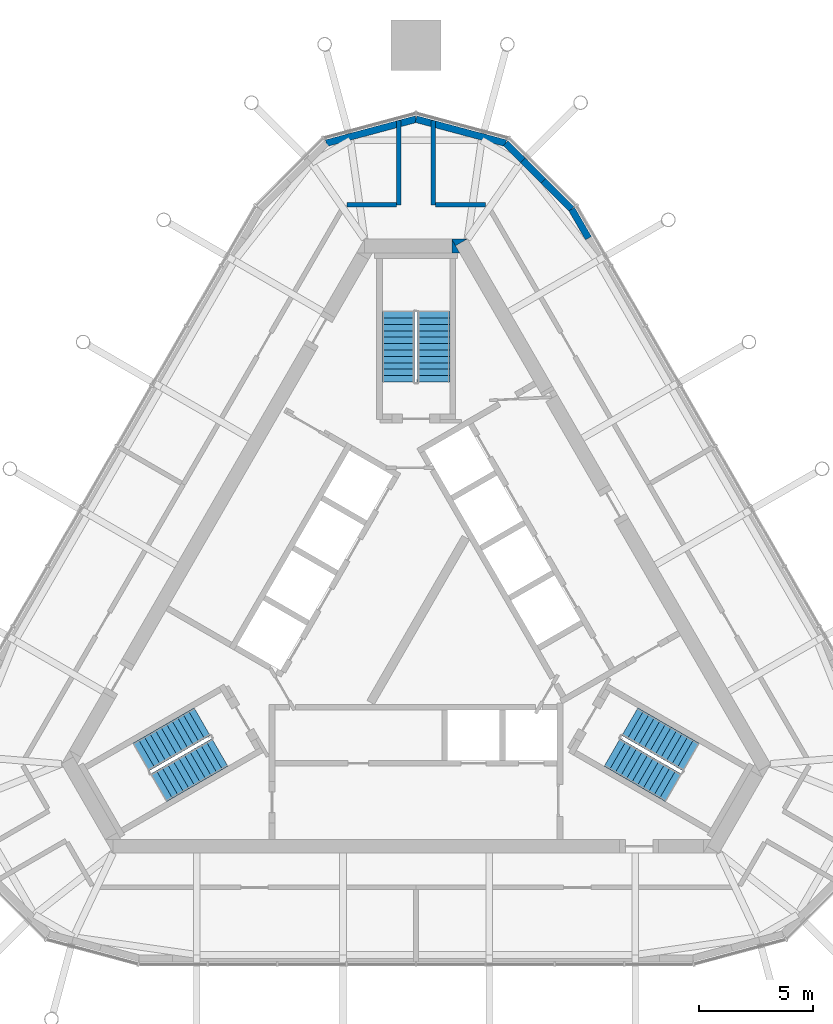
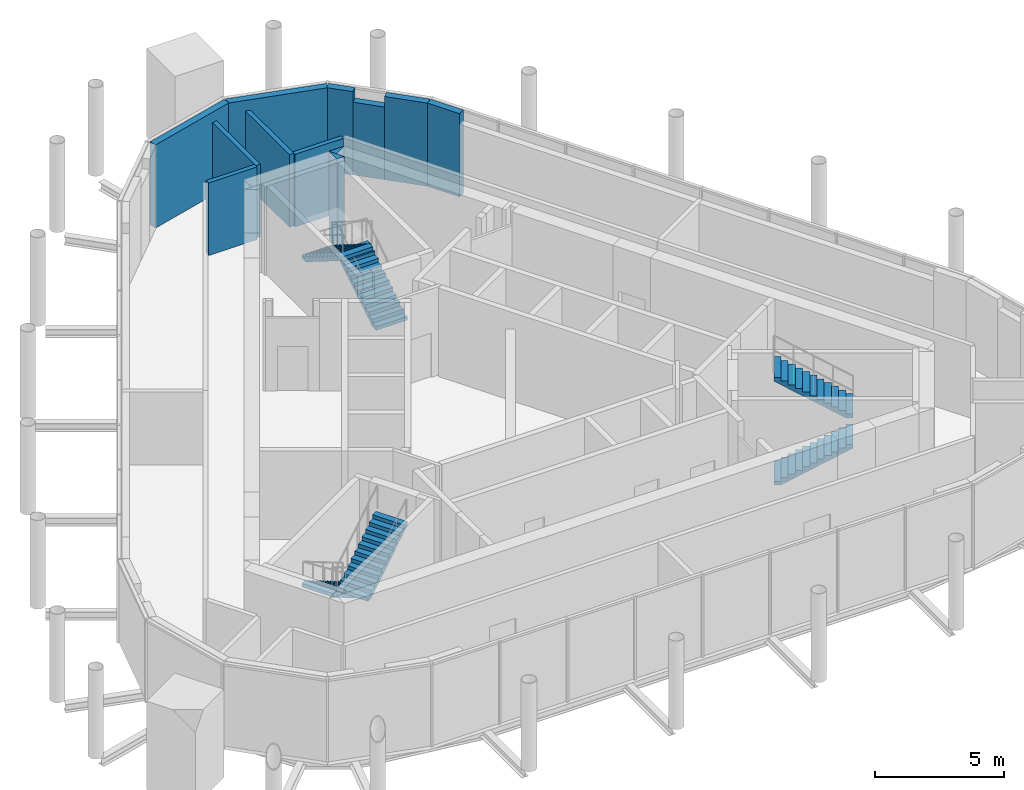
# One storey, part 10 of 11: 12 walls, 6 stair flights, 3 elements without a shape of their own.
"""IFC4 building model written with IfcOpenShell, lengths in metres."""

from ifc_helpers import new_model, si_unit, direction, frame, frame_2d, origin, place, context, subcontext, project, spatial, polyline, rectangle, outline, extrude, material, layer, layer_set, type_object, element, aggregate, save


model = new_model("IFC4")

# Units and contexts
model_context = context("Model", 3, precision=1e-05, world=origin(), true_north=direction((0.0, 1.0)))
body_context = subcontext(model_context, "Body", "Model", "MODEL_VIEW")
ifc_project = project(units=[si_unit("LENGTHUNIT", "METRE"), si_unit("AREAUNIT", "SQUARE_METRE"), si_unit("VOLUMEUNIT", "CUBIC_METRE"), si_unit("PLANEANGLEUNIT", "RADIAN"), si_unit("MASSUNIT", "GRAM", prefix="KILO")], contexts=[model_context])

# Site, building, storey
site_placement = place(None, origin())
site = spatial("IfcSite", under=ifc_project, at=site_placement, CompositionType="ELEMENT")
building_placement = place(site_placement, origin())
building = spatial("IfcBuilding", under=site, at=building_placement, Name="Mestral Congress Tower", CompositionType="ELEMENT")
storey_placement = place(building_placement, frame((0.0, 0.0, 336.0)))
storey = spatial("IfcBuildingStorey", under=building, at=storey_placement, Name="L78", CompositionType="ELEMENT", Elevation=336.0)

# Walls
ifc_material_1 = material(Name="Concrete C60/75", Category="concrete")
ifc_layer_1 = layer(ifc_material_1, 0.60009765625)
ifc_layer_set_1 = layer_set([ifc_layer_1], Name="Concrete C60/75")
wall_type_1 = type_object("IfcWallType", Name="Core wall RC 600", PredefinedType="SOLIDWALL", material=ifc_layer_set_1)
placement = place(storey_placement, origin())
element("IfcWall", 1, at=placement, inside=storey, type_object=wall_type_1, Name="L78 core wall", PredefinedType="SOLIDWALL", context=body_context, shape_type="SweptSolid", body=[
    extrude(outline(polyline([(1.558837890625, 16.60009765625), (2.23486328125, 16.60009765625), (1.727783203125, 16.307373046875), (1.558837890625, 16.60009765625)])), origin(), (0.0, 0.0, 1.0), 4.199951171875),
])
element("IfcWall", 2, at=placement, inside=storey, type_object=wall_type_1, Name="L78 core wall", PredefinedType="SOLIDWALL", context=body_context, shape_type="SweptSolid", body=[
    extrude(outline(polyline([(1.9052734375, 16.0), (1.5673828125, 16.0), (1.5673828125, 16.58544921875), (1.9052734375, 16.0)])), origin(), (0.0, 0.0, 1.0), 4.199951171875),
])
ifc_material_2 = material(Name="Precast concrete C40/50 with limestone facing", Category="masonry")
ifc_layer_2 = layer(ifc_material_2, 0.300048828125)
ifc_layer_set_2 = layer_set([ifc_layer_2], Name="Precast concrete C40/50 with limestone facing")
wall_type_2 = type_object("IfcWallType", Name="Crown plant block wall 300", PredefinedType="SOLIDWALL", material=ifc_layer_set_2)
wall_3_placement = place(storey_placement, frame((7.5400390625, 16.64013671875, 0.0), z_axis=(0.0, 0.0, 1.0), x_axis=(-0.499977492351, 0.866038398192, 0.0)))
element("IfcWall", 3, at=wall_3_placement, inside=storey, type_object=wall_type_2, Name="Plant block wall 5", PredefinedType="SOLIDWALL", context=body_context, shape_type="SweptSolid", body=[
    extrude(rectangle(XDim=1.4638671875, YDim=0.300048828125, at=frame_2d((0.73193359375, 0.0))), origin(), (0.0, 0.0, 1.0), 3.949951171875),
])
wall_4_placement = place(storey_placement, frame((6.80810546875, 17.907958984375, 0.0), z_axis=(0.0, 0.0, 1.0), x_axis=(-0.707106781187, 0.707106781187, 0.0)))
element("IfcWall", 4, at=wall_4_placement, inside=storey, type_object=wall_type_2, Name="Plant block wall 6", PredefinedType="SOLIDWALL", context=body_context, shape_type="SweptSolid", body=[
    extrude(rectangle(XDim=1.751953125, YDim=0.300048828125, at=frame_2d((0.8759765625, 0.0))), origin(), (0.0, 0.0, 1.0), 3.949951171875),
])
wall_5_placement = place(storey_placement, frame((4.67529296875, 20.040771484375, 0.0), z_axis=(0.0, 0.0, 1.0), x_axis=(-0.707106781187, 0.707106781187, 0.0)))
element("IfcWall", 5, at=wall_5_placement, inside=storey, type_object=wall_type_2, Name="Plant block wall 6", PredefinedType="SOLIDWALL", context=body_context, shape_type="SweptSolid", body=[
    extrude(rectangle(XDim=1.064697265625, YDim=0.300048828125, at=frame_2d((0.5322265625, 0.0))), origin(), (0.0, 0.0, 1.0), 3.949951171875),
])
for number, where, z_axis, x_axis, name in (
    (6, (3.92236328125, 20.793701171875, 0.0), (0.0, 0.0, 1.0), (-0.965923898226, 0.258826240624, 0.0), "Plant block wall 7"),
    (7, (0.0, 21.8447265625, 0.0), (0.0, 0.0, 1.0), (-0.965923898226, -0.258826240624, 0.0), "Plant block wall 8"),
):
    element("IfcWall", number, at=place(storey_placement, frame(where, z_axis=z_axis, x_axis=x_axis)), inside=storey, type_object=wall_type_2, Name=name, PredefinedType="SOLIDWALL", context=body_context, shape_type="SweptSolid", body=[
        extrude(rectangle(XDim=4.060791015625, YDim=0.300048828125, at=frame_2d((2.0302734375, 0.0))), origin(), (0.0, 0.0, 1.0), 3.949951171875),
    ])
ifc_layer_3 = layer(ifc_material_2, 0.300048828125)
ifc_layer_set_3 = layer_set([ifc_layer_3], Name="Precast concrete C40/50 with limestone facing")
wall_type_3 = type_object("IfcWallType", Name="Crown plant block wall 300 under girder", PredefinedType="SOLIDWALL", material=ifc_layer_set_3)
wall_6_placement = place(storey_placement, frame((5.5693359375, 19.146728515625, 0.0), z_axis=(0.0, 0.0, 1.0), x_axis=(-0.707106781187, 0.707106781187, 0.0)))
element("IfcWall", 8, at=wall_6_placement, inside=storey, type_object=wall_type_3, Name="Plant block wall 6", PredefinedType="SOLIDWALL", context=body_context, shape_type="SweptSolid", body=[
    extrude(rectangle(XDim=1.264404296875, YDim=0.300048828125, at=frame_2d((0.63232421875, 0.0))), origin(), (0.0, 0.0, 1.0), 3.449951171875),
])
ifc_material_3 = material(Name="Concrete block wall, plastered", Category="concrete")
ifc_layer_4 = layer(ifc_material_3, 0.199951171875)
ifc_layer_set_4 = layer_set([ifc_layer_4], Name="Concrete block wall, plastered")
wall_type_4 = type_object("IfcWallType", Name="Special partition 200 EI 120", PredefinedType="PARTITIONING", material=ifc_layer_set_4)
for number, where, z_axis, x_axis, name in (
    (9, (0.75, 21.78857421875, 0.0), (0.0, 0.0, 1.0), (0.0, -1.0, 0.0), "Partition"),
    (10, (-0.75, 18.10009765625, 0.0), (0.0, 0.0, 1.0), (0.0, 1.0, 0.0), "Partition"),
):
    element("IfcWall", number, at=place(storey_placement, frame(where, z_axis=z_axis, x_axis=x_axis)), inside=storey, type_object=wall_type_4, Name=name, PredefinedType="PARTITIONING", context=body_context, shape_type="SweptSolid", body=[
        extrude(rectangle(XDim=3.6884765625, YDim=0.199951171875, at=frame_2d((1.84423828125, 0.0))), origin(), (0.0, 0.0, 1.0), 3.449951171875),
    ])
for number, where, z_axis, x_axis, name in (
    (11, (-3.027587890625, 18.10009765625, 0.0), (0.0, 0.0, 1.0), (1.0, 0.0, 0.0), "Partition"),
    (12, (0.85009765625, 18.10009765625, 0.0), (0.0, 0.0, 1.0), (1.0, 0.0, 0.0), "Partition"),
):
    element("IfcWall", number, at=place(storey_placement, frame(where, z_axis=z_axis, x_axis=x_axis)), inside=storey, type_object=wall_type_4, Name=name, PredefinedType="PARTITIONING", context=body_context, shape_type="SweptSolid", body=[
        extrude(rectangle(XDim=2.177490234375, YDim=0.199951171875, at=frame_2d((1.0888671875, 0.0))), origin(), (0.0, 0.0, 1.0), 3.449951171875),
    ])

# Stair, stair flights
stair_type = type_object("IfcStairType", Name="Exit stair 1400", PredefinedType="HALF_TURN_STAIR", material=ifc_material_1)
stair_1 = element("IfcStair", 13, at=placement, inside=storey, type_object=stair_type, Name="L78 ST1", PredefinedType="HALF_TURN_STAIR")
stair_flight_type = type_object("IfcStairFlightType", Name="Exit stair flight 1400", PredefinedType="STRAIGHT", material=ifc_material_1)
stair_flight_1_placement = place(storey_placement, frame((8.575927734375, -5.84619140625, 0.0), z_axis=(0.0, 0.0, 1.0), x_axis=(0.866025403784, -0.5, 0.0)))
stair_flight_1 = element("IfcStairFlight", 14, at=stair_flight_1_placement, type_object=stair_flight_type, Name="ST1 flight 1", NumberOfRisers=12, NumberOfTreads=11, PredefinedType="STRAIGHT", RiserHeight=0.175, TreadLength=0.28, context=body_context, shape_type="SweptSolid", body=[
    extrude(outline(polyline([(0.0, 0.0), (0.0, 0.175048828125), (0.280029296875, 0.175048828125), (0.280029296875, 0.35009765625), (0.56005859375, 0.35009765625), (0.56005859375, 0.52490234375), (0.840087890625, 0.52490234375), (0.840087890625, 0.699951171875), (1.1201171875, 0.699951171875), (1.1201171875, 0.875), (1.39990234375, 0.875), (1.39990234375, 1.050048828125), (1.679931640625, 1.050048828125), (1.679931640625, 1.22509765625), (1.9599609375, 1.22509765625), (1.9599609375, 1.39990234375), (2.239990234375, 1.39990234375), (2.239990234375, 1.574951171875), (2.52001953125, 1.574951171875), (2.52001953125, 1.75), (2.800048828125, 1.75), (2.800048828125, 1.925048828125), (3.080078125, 1.925048828125), (3.080078125, 2.10009765625), (3.080078125, 1.748291015625), (0.28271484375, 0.0), (0.0, 0.0)])), frame((0.0, 0.699951171875, 0.0), z_axis=(0.0, -1.0, 0.0), x_axis=(1.0, 0.0, 0.0)), (0.0, 0.0, 1.0), 1.39990234375),
])
stair_flight_2_placement = place(storey_placement, frame((12.018310546875, -6.0439453125, 2.10009765625), z_axis=(0.0, 0.0, 1.0), x_axis=(-0.866025403784, 0.5, 0.0)))
stair_flight_2 = element("IfcStairFlight", 15, at=stair_flight_2_placement, type_object=stair_flight_type, Name="ST1 flight 2", NumberOfRisers=12, NumberOfTreads=11, PredefinedType="STRAIGHT", RiserHeight=0.175, TreadLength=0.28, context=body_context, shape_type="SweptSolid", body=[
    extrude(outline(polyline([(0.0, 0.0), (0.0, 0.175048828125), (0.280029296875, 0.175048828125), (0.280029296875, 0.35009765625), (0.56005859375, 0.35009765625), (0.56005859375, 0.52490234375), (0.840087890625, 0.52490234375), (0.840087890625, 0.699951171875), (1.1201171875, 0.699951171875), (1.1201171875, 0.875), (1.39990234375, 0.875), (1.39990234375, 1.050048828125), (1.679931640625, 1.050048828125), (1.679931640625, 1.22509765625), (1.9599609375, 1.22509765625), (1.9599609375, 1.39990234375), (2.239990234375, 1.39990234375), (2.239990234375, 1.574951171875), (2.52001953125, 1.574951171875), (2.52001953125, 1.75), (2.800048828125, 1.75), (2.800048828125, 1.925048828125), (3.080078125, 1.925048828125), (3.080078125, 2.10009765625), (3.080078125, 1.748291015625), (0.28271484375, 0.0), (0.0, 0.0)])), frame((0.0, 0.699951171875, 0.0), z_axis=(0.0, -1.0, 0.0), x_axis=(1.0, 0.0, 0.0)), (0.0, 0.0, 1.0), 1.39990234375),
])
aggregate(stair_1, [stair_flight_1, stair_flight_2])

stair_2 = element("IfcStair", 16, at=placement, inside=storey, type_object=stair_type, Name="L78 ST2", PredefinedType="HALF_TURN_STAIR")
stair_flight_3_placement = place(storey_placement, frame((0.77490234375, 10.35009765625, 0.0), z_axis=(0.0, 0.0, 1.0), x_axis=(0.0, 1.0, 0.0)))
stair_flight_3 = element("IfcStairFlight", 17, at=stair_flight_3_placement, type_object=stair_flight_type, Name="ST2 flight 1", NumberOfRisers=12, NumberOfTreads=11, PredefinedType="STRAIGHT", RiserHeight=0.175, TreadLength=0.28, context=body_context, shape_type="SweptSolid", body=[
    extrude(outline(polyline([(0.0, 0.0), (0.0, 0.175048828125), (0.280029296875, 0.175048828125), (0.280029296875, 0.35009765625), (0.56005859375, 0.35009765625), (0.56005859375, 0.52490234375), (0.840087890625, 0.52490234375), (0.840087890625, 0.699951171875), (1.1201171875, 0.699951171875), (1.1201171875, 0.875), (1.39990234375, 0.875), (1.39990234375, 1.050048828125), (1.679931640625, 1.050048828125), (1.679931640625, 1.22509765625), (1.9599609375, 1.22509765625), (1.9599609375, 1.39990234375), (2.239990234375, 1.39990234375), (2.239990234375, 1.574951171875), (2.52001953125, 1.574951171875), (2.52001953125, 1.75), (2.800048828125, 1.75), (2.800048828125, 1.925048828125), (3.080078125, 1.925048828125), (3.080078125, 2.10009765625), (3.080078125, 1.748291015625), (0.28271484375, 0.0), (0.0, 0.0)])), frame((0.0, 0.699951171875, 0.0), z_axis=(0.0, -1.0, 0.0), x_axis=(1.0, 0.0, 0.0)), (0.0, 0.0, 1.0), 1.39990234375),
])
stair_flight_4_placement = place(storey_placement, frame((-0.77490234375, 13.429931640625, 2.10009765625), z_axis=(0.0, 0.0, 1.0), x_axis=(0.0, -1.0, 0.0)))
stair_flight_4 = element("IfcStairFlight", 18, at=stair_flight_4_placement, type_object=stair_flight_type, Name="ST2 flight 2", NumberOfRisers=12, NumberOfTreads=11, PredefinedType="STRAIGHT", RiserHeight=0.175, TreadLength=0.28, context=body_context, shape_type="SweptSolid", body=[
    extrude(outline(polyline([(0.0, 0.0), (0.0, 0.175048828125), (0.280029296875, 0.175048828125), (0.280029296875, 0.35009765625), (0.56005859375, 0.35009765625), (0.56005859375, 0.52490234375), (0.840087890625, 0.52490234375), (0.840087890625, 0.699951171875), (1.1201171875, 0.699951171875), (1.1201171875, 0.875), (1.39990234375, 0.875), (1.39990234375, 1.050048828125), (1.679931640625, 1.050048828125), (1.679931640625, 1.22509765625), (1.9599609375, 1.22509765625), (1.9599609375, 1.39990234375), (2.239990234375, 1.39990234375), (2.239990234375, 1.574951171875), (2.52001953125, 1.574951171875), (2.52001953125, 1.75), (2.800048828125, 1.75), (2.800048828125, 1.925048828125), (3.080078125, 1.925048828125), (3.080078125, 2.10009765625), (3.080078125, 1.748291015625), (0.28271484375, 0.0), (0.0, 0.0)])), frame((0.0, 0.699951171875, 0.0), z_axis=(0.0, -1.0, 0.0), x_axis=(1.0, 0.0, 0.0)), (0.0, 0.0, 1.0), 1.39990234375),
])
aggregate(stair_2, [stair_flight_3, stair_flight_4])

stair_3 = element("IfcStair", 19, at=placement, inside=storey, type_object=stair_type, Name="L78 ST3", PredefinedType="HALF_TURN_STAIR")
stair_flight_5_placement = place(storey_placement, frame((-9.350830078125, -4.50390625, 0.0), z_axis=(0.0, 0.0, 1.0), x_axis=(-0.866025403784, -0.5, 0.0)))
stair_flight_5 = element("IfcStairFlight", 20, at=stair_flight_5_placement, type_object=stair_flight_type, Name="ST3 flight 1", NumberOfRisers=12, NumberOfTreads=11, PredefinedType="STRAIGHT", RiserHeight=0.175, TreadLength=0.28, context=body_context, shape_type="SweptSolid", body=[
    extrude(outline(polyline([(0.0, 0.0), (0.0, 0.175048828125), (0.280029296875, 0.175048828125), (0.280029296875, 0.35009765625), (0.56005859375, 0.35009765625), (0.56005859375, 0.52490234375), (0.840087890625, 0.52490234375), (0.840087890625, 0.699951171875), (1.1201171875, 0.699951171875), (1.1201171875, 0.875), (1.39990234375, 0.875), (1.39990234375, 1.050048828125), (1.679931640625, 1.050048828125), (1.679931640625, 1.22509765625), (1.9599609375, 1.22509765625), (1.9599609375, 1.39990234375), (2.239990234375, 1.39990234375), (2.239990234375, 1.574951171875), (2.52001953125, 1.574951171875), (2.52001953125, 1.75), (2.800048828125, 1.75), (2.800048828125, 1.925048828125), (3.080078125, 1.925048828125), (3.080078125, 2.10009765625), (3.080078125, 1.748291015625), (0.28271484375, 0.0), (0.0, 0.0)])), frame((0.0, 0.699951171875, 0.0), z_axis=(0.0, -1.0, 0.0), x_axis=(1.0, 0.0, 0.0)), (0.0, 0.0, 1.0), 1.39990234375),
])
stair_flight_6_placement = place(storey_placement, frame((-11.2431640625, -7.38623046875, 2.10009765625), z_axis=(0.0, 0.0, 1.0), x_axis=(0.866025403784, 0.5, 0.0)))
stair_flight_6 = element("IfcStairFlight", 21, at=stair_flight_6_placement, type_object=stair_flight_type, Name="ST3 flight 2", NumberOfRisers=12, NumberOfTreads=11, PredefinedType="STRAIGHT", RiserHeight=0.175, TreadLength=0.28, context=body_context, shape_type="SweptSolid", body=[
    extrude(outline(polyline([(0.0, 0.0), (0.0, 0.175048828125), (0.280029296875, 0.175048828125), (0.280029296875, 0.35009765625), (0.56005859375, 0.35009765625), (0.56005859375, 0.52490234375), (0.840087890625, 0.52490234375), (0.840087890625, 0.699951171875), (1.1201171875, 0.699951171875), (1.1201171875, 0.875), (1.39990234375, 0.875), (1.39990234375, 1.050048828125), (1.679931640625, 1.050048828125), (1.679931640625, 1.22509765625), (1.9599609375, 1.22509765625), (1.9599609375, 1.39990234375), (2.239990234375, 1.39990234375), (2.239990234375, 1.574951171875), (2.52001953125, 1.574951171875), (2.52001953125, 1.75), (2.800048828125, 1.75), (2.800048828125, 1.925048828125), (3.080078125, 1.925048828125), (3.080078125, 2.10009765625), (3.080078125, 1.748291015625), (0.28271484375, 0.0), (0.0, 0.0)])), frame((0.0, 0.699951171875, 0.0), z_axis=(0.0, -1.0, 0.0), x_axis=(1.0, 0.0, 0.0)), (0.0, 0.0, 1.0), 1.39990234375),
])
aggregate(stair_3, [stair_flight_5, stair_flight_6])

save(model, "model.ifc")
